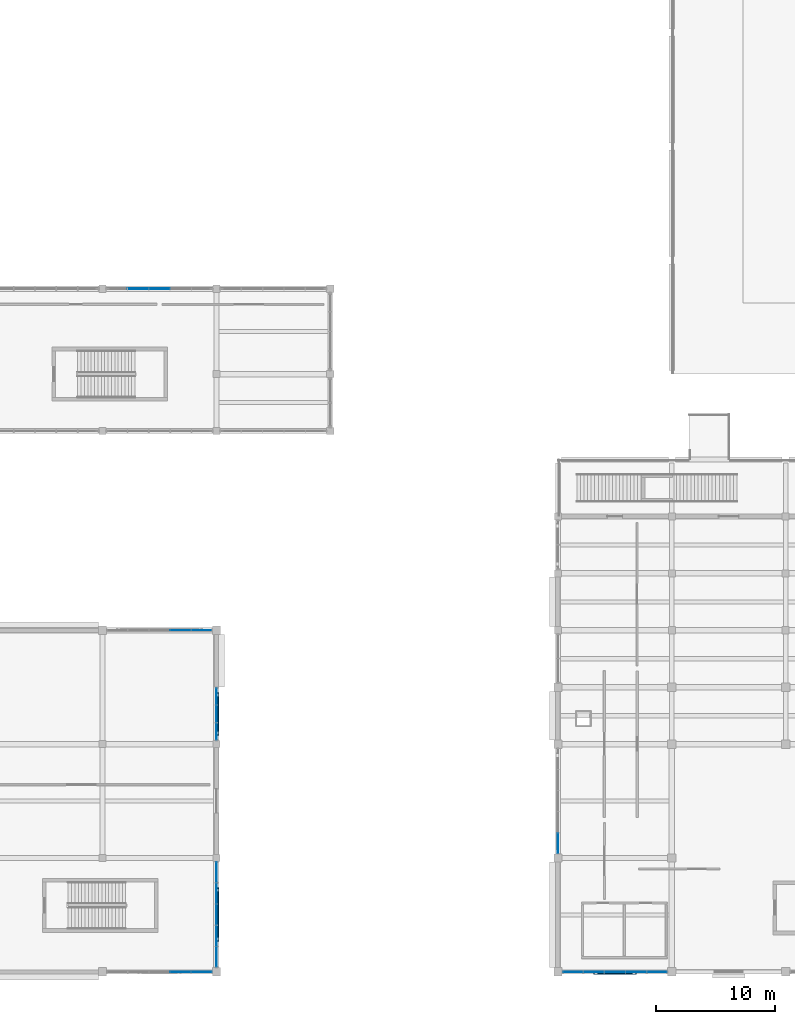
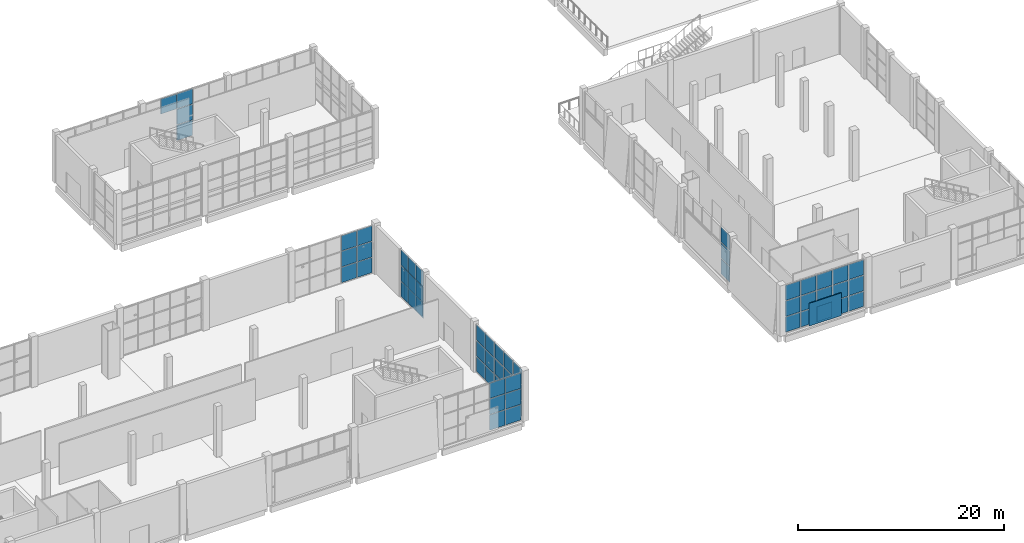
# One storey, part 42 of 84: 61 plates, 7 elements without a shape of their own.
"""IFC4 building model written with IfcOpenShell, lengths in metres."""

from ifc_helpers import new_model, si_unit, direction, frame, origin, origin_2d, place, context, subcontext, project, spatial, rectangle, extrude, material, layer, layer_set, type_object, element, aggregate, save


model = new_model("IFC4")

# Units and contexts
model_context = context("Model", 3, precision=1e-05, world=origin(), true_north=direction((0.0, 1.0)))
body_context = subcontext(model_context, "Body", "Model", "MODEL_VIEW")
ifc_project = project(units=[si_unit("LENGTHUNIT", "METRE"), si_unit("AREAUNIT", "SQUARE_METRE"), si_unit("VOLUMEUNIT", "CUBIC_METRE"), si_unit("PLANEANGLEUNIT", "RADIAN"), si_unit("MASSUNIT", "GRAM", prefix="KILO")], contexts=[model_context])

# Site, building, storey
site_placement = place(None, origin())
site = spatial("IfcSite", under=ifc_project, at=site_placement, CompositionType="ELEMENT")
building_placement = place(site_placement, origin())
building = spatial("IfcBuilding", under=site, at=building_placement, Name="Shalvenor Court Art Gallery", CompositionType="ELEMENT")
storey_placement = place(building_placement, origin())
storey = spatial("IfcBuildingStorey", under=building, at=storey_placement, Name="L00", CompositionType="ELEMENT", Elevation=0.0)

# Curtain wall, plates
ifc_material_1 = material(Name="Anodised aluminium and low-iron glass curtain wall", Category="aluminium")
curtain_wall_type_1 = type_object("IfcCurtainWallType", Name="CW-5x3-89-57-111", PredefinedType="USERDEFINED", material=ifc_material_1)
curtain_wall_1_placement = place(storey_placement, origin())
curtain_wall_1 = element("IfcCurtainWall", 1, at=curtain_wall_1_placement, inside=storey, type_object=curtain_wall_type_1, Name="L00 V4 Curtain Wall CW-L00-120", ObjectType="CURTAIN WALL", PredefinedType="USERDEFINED")
ifc_material_2 = material(Name="Low-iron UV-laminated double glazing IGU", Category="glass")
ifc_layer_1 = layer(ifc_material_2, 0.028076171875, Name="Low-iron UV-laminated double glazing IGU")
ifc_layer_set_1 = layer_set([ifc_layer_1], Name="Low-iron UV-laminated double glazing IGU")
plate_type_1 = type_object("IfcPlateType", Name="CWP-01", PredefinedType="CURTAIN_PANEL", material=ifc_layer_set_1)
plate_1_placement = place(storey_placement, frame((64.179931640625, 28.800048828125, 0.06005859375), z_axis=(0.0, 0.0, 1.0), x_axis=(1.0, 0.0, 0.0)))
plate_1 = element("IfcPlate", 2, at=plate_1_placement, type_object=plate_type_1, Name="CW-5x3-89-57-111 panel 4.1", PredefinedType="CURTAIN_PANEL", context=body_context, shape_type="SweptSolid", body=[
    extrude(rectangle(XDim=1.715087890625, YDim=0.028076171875, at=origin_2d()), origin(), (0.0, 0.0, 1.0), 1.80322265625),
])
plate_2_placement = place(storey_placement, frame((64.179931640625, 28.800048828125, 1.92333984375), z_axis=(0.0, 0.0, 1.0), x_axis=(1.0, 0.0, 0.0)))
plate_2 = element("IfcPlate", 3, at=plate_2_placement, type_object=plate_type_1, Name="CW-5x3-89-57-111 panel 4.2", PredefinedType="CURTAIN_PANEL", context=body_context, shape_type="SweptSolid", body=[
    extrude(rectangle(XDim=1.715087890625, YDim=0.028076171875, at=origin_2d()), origin(), (0.0, 0.0, 1.0), 1.833251953125),
])
plate_3_placement = place(storey_placement, frame((64.179931640625, 28.800048828125, 3.816650390625), z_axis=(0.0, 0.0, 1.0), x_axis=(1.0, 0.0, 0.0)))
plate_3 = element("IfcPlate", 4, at=plate_3_placement, type_object=plate_type_1, Name="CW-5x3-89-57-111 panel 4.3", PredefinedType="CURTAIN_PANEL", context=body_context, shape_type="SweptSolid", body=[
    extrude(rectangle(XDim=1.715087890625, YDim=0.028076171875, at=origin_2d()), origin(), (0.0, 0.0, 1.0), 1.80322265625),
])
plate_4_placement = place(storey_placement, frame((65.94384765625, 28.800048828125, 0.06005859375), z_axis=(0.0, 0.0, 1.0), x_axis=(1.0, 0.0, 0.0)))
plate_4 = element("IfcPlate", 5, at=plate_4_placement, type_object=plate_type_1, Name="CW-5x3-89-57-111 panel 5.1", PredefinedType="CURTAIN_PANEL", context=body_context, shape_type="SweptSolid", body=[
    extrude(rectangle(XDim=1.6826171875, YDim=0.028076171875, at=origin_2d()), origin(), (0.0, 0.0, 1.0), 1.80322265625),
])
plate_5_placement = place(storey_placement, frame((65.94384765625, 28.800048828125, 1.92333984375), z_axis=(0.0, 0.0, 1.0), x_axis=(1.0, 0.0, 0.0)))
plate_5 = element("IfcPlate", 6, at=plate_5_placement, type_object=plate_type_1, Name="CW-5x3-89-57-111 panel 5.2", PredefinedType="CURTAIN_PANEL", context=body_context, shape_type="SweptSolid", body=[
    extrude(rectangle(XDim=1.6826171875, YDim=0.028076171875, at=origin_2d()), origin(), (0.0, 0.0, 1.0), 1.833251953125),
])
plate_6_placement = place(storey_placement, frame((65.94384765625, 28.800048828125, 3.816650390625), z_axis=(0.0, 0.0, 1.0), x_axis=(1.0, 0.0, 0.0)))
plate_6 = element("IfcPlate", 7, at=plate_6_placement, type_object=plate_type_1, Name="CW-5x3-89-57-111 panel 5.3", PredefinedType="CURTAIN_PANEL", context=body_context, shape_type="SweptSolid", body=[
    extrude(rectangle(XDim=1.6826171875, YDim=0.028076171875, at=origin_2d()), origin(), (0.0, 0.0, 1.0), 1.80322265625),
])
aggregate(curtain_wall_1, [plate_1, plate_2, plate_3, plate_4, plate_5, plate_6])

ifc_material_3 = material(Name="Anodised aluminium and low-iron glass curtain wall", Category="aluminium")
curtain_wall_type_2 = type_object("IfcCurtainWallType", Name="CW-3x3-45-57-221", PredefinedType="USERDEFINED", material=ifc_material_3)
curtain_wall_2_placement = place(storey_placement, origin())
curtain_wall_2 = element("IfcCurtainWall", 8, at=curtain_wall_2_placement, inside=storey, type_object=curtain_wall_type_2, Name="L00 V4 Curtain Wall CW-L00-121", ObjectType="CURTAIN WALL", PredefinedType="USERDEFINED")
plate_7_placement = place(storey_placement, frame((67.199951171875, 23.232421875, 0.06494140625), z_axis=(0.0, 0.0, 1.0), x_axis=(0.0, -1.0, 0.0)))
plate_7 = element("IfcPlate", 9, at=plate_7_placement, type_object=plate_type_1, Name="CW-3x3-45-57-221 panel 1.1", PredefinedType="CURTAIN_PANEL", context=body_context, shape_type="SweptSolid", body=[
    extrude(rectangle(XDim=1.39501953125, YDim=0.028076171875, at=origin_2d()), origin(), (0.0, 0.0, 1.0), 1.7958984375),
])
plate_8_placement = place(storey_placement, frame((67.199951171875, 23.232421875, 1.92578125), z_axis=(0.0, 0.0, 1.0), x_axis=(0.0, -1.0, 0.0)))
plate_8 = element("IfcPlate", 10, at=plate_8_placement, type_object=plate_type_1, Name="CW-3x3-45-57-221 panel 1.2", PredefinedType="CURTAIN_PANEL", context=body_context, shape_type="SweptSolid", body=[
    extrude(rectangle(XDim=1.39501953125, YDim=0.028076171875, at=origin_2d()), origin(), (0.0, 0.0, 1.0), 1.828369140625),
])
plate_9_placement = place(storey_placement, frame((67.199951171875, 23.232421875, 3.819091796875), z_axis=(0.0, 0.0, 1.0), x_axis=(0.0, -1.0, 0.0)))
plate_9 = element("IfcPlate", 11, at=plate_9_placement, type_object=plate_type_1, Name="CW-3x3-45-57-221 panel 1.3", PredefinedType="CURTAIN_PANEL", context=body_context, shape_type="SweptSolid", body=[
    extrude(rectangle(XDim=1.39501953125, YDim=0.028076171875, at=origin_2d()), origin(), (0.0, 0.0, 1.0), 1.7958984375),
])
plate_10_placement = place(storey_placement, frame((67.199951171875, 21.75, 0.06494140625), z_axis=(0.0, 0.0, 1.0), x_axis=(0.0, -1.0, 0.0)))
plate_10 = element("IfcPlate", 12, at=plate_10_placement, type_object=plate_type_1, Name="CW-3x3-45-57-221 panel 2.1", PredefinedType="CURTAIN_PANEL", context=body_context, shape_type="SweptSolid", body=[
    extrude(rectangle(XDim=1.429931640625, YDim=0.028076171875, at=origin_2d()), origin(), (0.0, 0.0, 1.0), 1.7958984375),
])
plate_11_placement = place(storey_placement, frame((67.199951171875, 21.75, 1.92578125), z_axis=(0.0, 0.0, 1.0), x_axis=(0.0, -1.0, 0.0)))
plate_11 = element("IfcPlate", 13, at=plate_11_placement, type_object=plate_type_1, Name="CW-3x3-45-57-221 panel 2.2", PredefinedType="CURTAIN_PANEL", context=body_context, shape_type="SweptSolid", body=[
    extrude(rectangle(XDim=1.429931640625, YDim=0.028076171875, at=origin_2d()), origin(), (0.0, 0.0, 1.0), 1.828369140625),
])
plate_12_placement = place(storey_placement, frame((67.199951171875, 21.75, 3.819091796875), z_axis=(0.0, 0.0, 1.0), x_axis=(0.0, -1.0, 0.0)))
plate_12 = element("IfcPlate", 14, at=plate_12_placement, type_object=plate_type_1, Name="CW-3x3-45-57-221 panel 2.3", PredefinedType="CURTAIN_PANEL", context=body_context, shape_type="SweptSolid", body=[
    extrude(rectangle(XDim=1.429931640625, YDim=0.028076171875, at=origin_2d()), origin(), (0.0, 0.0, 1.0), 1.7958984375),
])
plate_13_placement = place(storey_placement, frame((67.199951171875, 20.267578125, 0.06494140625), z_axis=(0.0, 0.0, 1.0), x_axis=(0.0, -1.0, 0.0)))
plate_13 = element("IfcPlate", 15, at=plate_13_placement, type_object=plate_type_1, Name="CW-3x3-45-57-221 panel 3.1", PredefinedType="CURTAIN_PANEL", context=body_context, shape_type="SweptSolid", body=[
    extrude(rectangle(XDim=1.39501953125, YDim=0.028076171875, at=origin_2d()), origin(), (0.0, 0.0, 1.0), 1.7958984375),
])
plate_14_placement = place(storey_placement, frame((67.199951171875, 20.267578125, 1.92578125), z_axis=(0.0, 0.0, 1.0), x_axis=(0.0, -1.0, 0.0)))
plate_14 = element("IfcPlate", 16, at=plate_14_placement, type_object=plate_type_1, Name="CW-3x3-45-57-221 panel 3.2", PredefinedType="CURTAIN_PANEL", context=body_context, shape_type="SweptSolid", body=[
    extrude(rectangle(XDim=1.39501953125, YDim=0.028076171875, at=origin_2d()), origin(), (0.0, 0.0, 1.0), 1.828369140625),
])
plate_15_placement = place(storey_placement, frame((67.199951171875, 20.267578125, 3.819091796875), z_axis=(0.0, 0.0, 1.0), x_axis=(0.0, -1.0, 0.0)))
plate_15 = element("IfcPlate", 17, at=plate_15_placement, type_object=plate_type_1, Name="CW-3x3-45-57-221 panel 3.3", PredefinedType="CURTAIN_PANEL", context=body_context, shape_type="SweptSolid", body=[
    extrude(rectangle(XDim=1.39501953125, YDim=0.028076171875, at=origin_2d()), origin(), (0.0, 0.0, 1.0), 1.7958984375),
])
aggregate(curtain_wall_2, [plate_7, plate_8, plate_9, plate_10, plate_11, plate_12, plate_13, plate_14, plate_15])

ifc_material_4 = material(Name="Anodised aluminium and low-iron glass curtain wall", Category="aluminium")
curtain_wall_type_3 = type_object("IfcCurtainWallType", Name="CW-5x3-90-57-441", PredefinedType="USERDEFINED", material=ifc_material_4)
curtain_wall_3_placement = place(storey_placement, origin())
curtain_wall_3 = element("IfcCurtainWall", 18, at=curtain_wall_3_placement, inside=storey, type_object=curtain_wall_type_3, Name="L00 V4 Curtain Wall CW-L00-122", ObjectType="CURTAIN WALL", PredefinedType="USERDEFINED")
plate_16_placement = place(storey_placement, frame((67.199951171875, 8.38623046875, 0.06982421875), z_axis=(0.0, 0.0, 1.0), x_axis=(0.0, -1.0, 0.0)))
plate_16 = element("IfcPlate", 19, at=plate_16_placement, type_object=plate_type_1, Name="CW-5x3-90-57-441 panel 1.1", PredefinedType="CURTAIN_PANEL", context=body_context, shape_type="SweptSolid", body=[
    extrude(rectangle(XDim=1.677490234375, YDim=0.028076171875, at=origin_2d()), origin(), (0.0, 0.0, 1.0), 1.788330078125),
])
plate_17_placement = place(storey_placement, frame((67.199951171875, 8.38623046875, 1.928466796875), z_axis=(0.0, 0.0, 1.0), x_axis=(0.0, -1.0, 0.0)))
plate_17 = element("IfcPlate", 20, at=plate_17_placement, type_object=plate_type_1, Name="CW-5x3-90-57-441 panel 1.2", PredefinedType="CURTAIN_PANEL", context=body_context, shape_type="SweptSolid", body=[
    extrude(rectangle(XDim=1.677490234375, YDim=0.028076171875, at=origin_2d()), origin(), (0.0, 0.0, 1.0), 1.8232421875),
])
plate_18_placement = place(storey_placement, frame((67.199951171875, 8.38623046875, 3.82177734375), z_axis=(0.0, 0.0, 1.0), x_axis=(0.0, -1.0, 0.0)))
plate_18 = element("IfcPlate", 21, at=plate_18_placement, type_object=plate_type_1, Name="CW-5x3-90-57-441 panel 1.3", PredefinedType="CURTAIN_PANEL", context=body_context, shape_type="SweptSolid", body=[
    extrude(rectangle(XDim=1.677490234375, YDim=0.028076171875, at=origin_2d()), origin(), (0.0, 0.0, 1.0), 1.788330078125),
])
plate_19_placement = place(storey_placement, frame((67.199951171875, 6.614990234375, 0.06982421875), z_axis=(0.0, 0.0, 1.0), x_axis=(0.0, -1.0, 0.0)))
plate_19 = element("IfcPlate", 22, at=plate_19_placement, type_object=plate_type_1, Name="CW-5x3-90-57-441 panel 2.1", PredefinedType="CURTAIN_PANEL", context=body_context, shape_type="SweptSolid", body=[
    extrude(rectangle(XDim=1.715087890625, YDim=0.028076171875, at=origin_2d()), origin(), (0.0, 0.0, 1.0), 1.788330078125),
])
plate_20_placement = place(storey_placement, frame((67.199951171875, 6.614990234375, 1.928466796875), z_axis=(0.0, 0.0, 1.0), x_axis=(0.0, -1.0, 0.0)))
plate_20 = element("IfcPlate", 23, at=plate_20_placement, type_object=plate_type_1, Name="CW-5x3-90-57-441 panel 2.2", PredefinedType="CURTAIN_PANEL", context=body_context, shape_type="SweptSolid", body=[
    extrude(rectangle(XDim=1.715087890625, YDim=0.028076171875, at=origin_2d()), origin(), (0.0, 0.0, 1.0), 1.8232421875),
])
plate_21_placement = place(storey_placement, frame((67.199951171875, 6.614990234375, 3.82177734375), z_axis=(0.0, 0.0, 1.0), x_axis=(0.0, -1.0, 0.0)))
plate_21 = element("IfcPlate", 24, at=plate_21_placement, type_object=plate_type_1, Name="CW-5x3-90-57-441 panel 2.3", PredefinedType="CURTAIN_PANEL", context=body_context, shape_type="SweptSolid", body=[
    extrude(rectangle(XDim=1.715087890625, YDim=0.028076171875, at=origin_2d()), origin(), (0.0, 0.0, 1.0), 1.788330078125),
])
plate_22_placement = place(storey_placement, frame((67.199951171875, 4.824951171875, 0.06982421875), z_axis=(0.0, 0.0, 1.0), x_axis=(0.0, -1.0, 0.0)))
plate_22 = element("IfcPlate", 25, at=plate_22_placement, type_object=plate_type_1, Name="CW-5x3-90-57-441 panel 3.1", PredefinedType="CURTAIN_PANEL", context=body_context, shape_type="SweptSolid", body=[
    extrude(rectangle(XDim=1.715087890625, YDim=0.028076171875, at=origin_2d()), origin(), (0.0, 0.0, 1.0), 1.788330078125),
])
plate_23_placement = place(storey_placement, frame((67.199951171875, 4.824951171875, 1.928466796875), z_axis=(0.0, 0.0, 1.0), x_axis=(0.0, -1.0, 0.0)))
plate_23 = element("IfcPlate", 26, at=plate_23_placement, type_object=plate_type_1, Name="CW-5x3-90-57-441 panel 3.2", PredefinedType="CURTAIN_PANEL", context=body_context, shape_type="SweptSolid", body=[
    extrude(rectangle(XDim=1.715087890625, YDim=0.028076171875, at=origin_2d()), origin(), (0.0, 0.0, 1.0), 1.8232421875),
])
plate_24_placement = place(storey_placement, frame((67.199951171875, 4.824951171875, 3.82177734375), z_axis=(0.0, 0.0, 1.0), x_axis=(0.0, -1.0, 0.0)))
plate_24 = element("IfcPlate", 27, at=plate_24_placement, type_object=plate_type_1, Name="CW-5x3-90-57-441 panel 3.3", PredefinedType="CURTAIN_PANEL", context=body_context, shape_type="SweptSolid", body=[
    extrude(rectangle(XDim=1.715087890625, YDim=0.028076171875, at=origin_2d()), origin(), (0.0, 0.0, 1.0), 1.788330078125),
])
plate_25_placement = place(storey_placement, frame((67.199951171875, 3.034912109375, 0.06982421875), z_axis=(0.0, 0.0, 1.0), x_axis=(0.0, -1.0, 0.0)))
plate_25 = element("IfcPlate", 28, at=plate_25_placement, type_object=plate_type_1, Name="CW-5x3-90-57-441 panel 4.1", PredefinedType="CURTAIN_PANEL", context=body_context, shape_type="SweptSolid", body=[
    extrude(rectangle(XDim=1.715087890625, YDim=0.028076171875, at=origin_2d()), origin(), (0.0, 0.0, 1.0), 1.788330078125),
])
plate_26_placement = place(storey_placement, frame((67.199951171875, 3.034912109375, 1.928466796875), z_axis=(0.0, 0.0, 1.0), x_axis=(0.0, -1.0, 0.0)))
plate_26 = element("IfcPlate", 29, at=plate_26_placement, type_object=plate_type_1, Name="CW-5x3-90-57-441 panel 4.2", PredefinedType="CURTAIN_PANEL", context=body_context, shape_type="SweptSolid", body=[
    extrude(rectangle(XDim=1.715087890625, YDim=0.028076171875, at=origin_2d()), origin(), (0.0, 0.0, 1.0), 1.8232421875),
])
plate_27_placement = place(storey_placement, frame((67.199951171875, 3.034912109375, 3.82177734375), z_axis=(0.0, 0.0, 1.0), x_axis=(0.0, -1.0, 0.0)))
plate_27 = element("IfcPlate", 30, at=plate_27_placement, type_object=plate_type_1, Name="CW-5x3-90-57-441 panel 4.3", PredefinedType="CURTAIN_PANEL", context=body_context, shape_type="SweptSolid", body=[
    extrude(rectangle(XDim=1.715087890625, YDim=0.028076171875, at=origin_2d()), origin(), (0.0, 0.0, 1.0), 1.788330078125),
])
plate_28_placement = place(storey_placement, frame((67.199951171875, 1.263671875, 0.06982421875), z_axis=(0.0, 0.0, 1.0), x_axis=(0.0, -1.0, 0.0)))
plate_28 = element("IfcPlate", 31, at=plate_28_placement, type_object=plate_type_1, Name="CW-5x3-90-57-441 panel 5.1", PredefinedType="CURTAIN_PANEL", context=body_context, shape_type="SweptSolid", body=[
    extrude(rectangle(XDim=1.677490234375, YDim=0.028076171875, at=origin_2d()), origin(), (0.0, 0.0, 1.0), 1.788330078125),
])
plate_29_placement = place(storey_placement, frame((67.199951171875, 1.263671875, 1.928466796875), z_axis=(0.0, 0.0, 1.0), x_axis=(0.0, -1.0, 0.0)))
plate_29 = element("IfcPlate", 32, at=plate_29_placement, type_object=plate_type_1, Name="CW-5x3-90-57-441 panel 5.2", PredefinedType="CURTAIN_PANEL", context=body_context, shape_type="SweptSolid", body=[
    extrude(rectangle(XDim=1.677490234375, YDim=0.028076171875, at=origin_2d()), origin(), (0.0, 0.0, 1.0), 1.8232421875),
])
plate_30_placement = place(storey_placement, frame((67.199951171875, 1.263671875, 3.82177734375), z_axis=(0.0, 0.0, 1.0), x_axis=(0.0, -1.0, 0.0)))
plate_30 = element("IfcPlate", 33, at=plate_30_placement, type_object=plate_type_1, Name="CW-5x3-90-57-441 panel 5.3", PredefinedType="CURTAIN_PANEL", context=body_context, shape_type="SweptSolid", body=[
    extrude(rectangle(XDim=1.677490234375, YDim=0.028076171875, at=origin_2d()), origin(), (0.0, 0.0, 1.0), 1.788330078125),
])
aggregate(curtain_wall_3, [plate_16, plate_17, plate_18, plate_19, plate_20, plate_21, plate_22, plate_23, plate_24, plate_25, plate_26, plate_27, plate_28, plate_29, plate_30])

ifc_material_5 = material(Name="Anodised aluminium and low-iron glass curtain wall", Category="aluminium")
curtain_wall_type_4 = type_object("IfcCurtainWallType", Name="CW-5x3-89-57-611", PredefinedType="USERDEFINED", material=ifc_material_5)
curtain_wall_4_placement = place(storey_placement, origin())
curtain_wall_4 = element("IfcCurtainWall", 34, at=curtain_wall_4_placement, inside=storey, type_object=curtain_wall_type_4, Name="L00 V4 Curtain Wall CW-L00-123", ObjectType="CURTAIN WALL", PredefinedType="USERDEFINED")
plate_31_placement = place(storey_placement, frame((65.9462890625, 0.0, 0.06005859375), z_axis=(0.0, 0.0, 1.0), x_axis=(-1.0, 0.0, 0.0)))
plate_31 = element("IfcPlate", 35, at=plate_31_placement, type_object=plate_type_1, Name="CW-5x3-89-57-611 panel 1.1", PredefinedType="CURTAIN_PANEL", context=body_context, shape_type="SweptSolid", body=[
    extrude(rectangle(XDim=1.697509765625, YDim=0.028076171875, at=origin_2d()), origin(), (0.0, 0.0, 1.0), 1.80322265625),
])
plate_32_placement = place(storey_placement, frame((65.9462890625, 0.0, 1.92333984375), z_axis=(0.0, 0.0, 1.0), x_axis=(-1.0, 0.0, 0.0)))
plate_32 = element("IfcPlate", 36, at=plate_32_placement, type_object=plate_type_1, Name="CW-5x3-89-57-611 panel 1.2", PredefinedType="CURTAIN_PANEL", context=body_context, shape_type="SweptSolid", body=[
    extrude(rectangle(XDim=1.697509765625, YDim=0.028076171875, at=origin_2d()), origin(), (0.0, 0.0, 1.0), 1.833251953125),
])
plate_33_placement = place(storey_placement, frame((65.9462890625, 0.0, 3.816650390625), z_axis=(0.0, 0.0, 1.0), x_axis=(-1.0, 0.0, 0.0)))
plate_33 = element("IfcPlate", 37, at=plate_33_placement, type_object=plate_type_1, Name="CW-5x3-89-57-611 panel 1.3", PredefinedType="CURTAIN_PANEL", context=body_context, shape_type="SweptSolid", body=[
    extrude(rectangle(XDim=1.697509765625, YDim=0.028076171875, at=origin_2d()), origin(), (0.0, 0.0, 1.0), 1.80322265625),
])
plate_34_placement = place(storey_placement, frame((64.179931640625, 0.0, 0.06005859375), z_axis=(0.0, 0.0, 1.0), x_axis=(-1.0, 0.0, 0.0)))
plate_34 = element("IfcPlate", 38, at=plate_34_placement, type_object=plate_type_1, Name="CW-5x3-89-57-611 panel 2.1", PredefinedType="CURTAIN_PANEL", context=body_context, shape_type="SweptSolid", body=[
    extrude(rectangle(XDim=1.72509765625, YDim=0.028076171875, at=origin_2d()), origin(), (0.0, 0.0, 1.0), 1.80322265625),
])
plate_35_placement = place(storey_placement, frame((64.179931640625, 0.0, 1.92333984375), z_axis=(0.0, 0.0, 1.0), x_axis=(-1.0, 0.0, 0.0)))
plate_35 = element("IfcPlate", 39, at=plate_35_placement, type_object=plate_type_1, Name="CW-5x3-89-57-611 panel 2.2", PredefinedType="CURTAIN_PANEL", context=body_context, shape_type="SweptSolid", body=[
    extrude(rectangle(XDim=1.72509765625, YDim=0.028076171875, at=origin_2d()), origin(), (0.0, 0.0, 1.0), 1.833251953125),
])
plate_36_placement = place(storey_placement, frame((64.179931640625, 0.0, 3.816650390625), z_axis=(0.0, 0.0, 1.0), x_axis=(-1.0, 0.0, 0.0)))
plate_36 = element("IfcPlate", 40, at=plate_36_placement, type_object=plate_type_1, Name="CW-5x3-89-57-611 panel 2.3", PredefinedType="CURTAIN_PANEL", context=body_context, shape_type="SweptSolid", body=[
    extrude(rectangle(XDim=1.72509765625, YDim=0.028076171875, at=origin_2d()), origin(), (0.0, 0.0, 1.0), 1.80322265625),
])
aggregate(curtain_wall_4, [plate_31, plate_32, plate_33, plate_34, plate_35, plate_36])

ifc_material_6 = material(Name="Anodised aluminium and low-iron glass curtain wall", Category="aluminium")
curtain_wall_type_5 = type_object("IfcCurtainWallType", Name="CW-5x3-89-57-422", PredefinedType="USERDEFINED", material=ifc_material_6)
curtain_wall_5_placement = place(storey_placement, origin())
curtain_wall_5 = element("IfcCurtainWall", 41, at=curtain_wall_5_placement, inside=storey, type_object=curtain_wall_type_5, Name="L00 V3 Curtain Wall CW-L00-094", ObjectType="CURTAIN WALL", PredefinedType="USERDEFINED")
ifc_material_7 = material(Name="Low-iron triple-silver solar gallery glazing IGU", Category="glass")
ifc_layer_2 = layer(ifc_material_7, 0.031982421875, Name="Low-iron triple-silver solar gallery glazing IGU")
ifc_layer_set_2 = layer_set([ifc_layer_2], Name="Low-iron triple-silver solar gallery glazing IGU")
plate_type_2 = type_object("IfcPlateType", Name="CWP-02", PredefinedType="CURTAIN_PANEL", material=ifc_layer_set_2)
plate_37_placement = place(storey_placement, frame((104.34130859375, 0.0, 0.06494140625), z_axis=(0.0, 0.0, 1.0), x_axis=(-1.0, 0.0, 0.0)))
plate_37 = element("IfcPlate", 42, at=plate_37_placement, type_object=plate_type_2, Name="CW-5x3-89-57-422 panel 1.1", PredefinedType="CURTAIN_PANEL", context=body_context, shape_type="SweptSolid", body=[
    extrude(rectangle(XDim=1.66748046875, YDim=0.031982421875, at=origin_2d()), origin(), (0.0, 0.0, 1.0), 1.7958984375),
])
plate_38_placement = place(storey_placement, frame((104.34130859375, 0.0, 1.92578125), z_axis=(0.0, 0.0, 1.0), x_axis=(-1.0, 0.0, 0.0)))
plate_38 = element("IfcPlate", 43, at=plate_38_placement, type_object=plate_type_2, Name="CW-5x3-89-57-422 panel 1.2", PredefinedType="CURTAIN_PANEL", context=body_context, shape_type="SweptSolid", body=[
    extrude(rectangle(XDim=1.66748046875, YDim=0.031982421875, at=origin_2d()), origin(), (0.0, 0.0, 1.0), 1.828369140625),
])
plate_39_placement = place(storey_placement, frame((104.34130859375, 0.0, 3.819091796875), z_axis=(0.0, 0.0, 1.0), x_axis=(-1.0, 0.0, 0.0)))
plate_39 = element("IfcPlate", 44, at=plate_39_placement, type_object=plate_type_2, Name="CW-5x3-89-57-422 panel 1.3", PredefinedType="CURTAIN_PANEL", context=body_context, shape_type="SweptSolid", body=[
    extrude(rectangle(XDim=1.66748046875, YDim=0.031982421875, at=origin_2d()), origin(), (0.0, 0.0, 1.0), 1.7958984375),
])
plate_40_placement = place(storey_placement, frame((102.580078125, 0.0, 0.06494140625), z_axis=(0.0, 0.0, 1.0), x_axis=(-1.0, 0.0, 0.0)))
plate_40 = element("IfcPlate", 45, at=plate_40_placement, type_object=plate_type_2, Name="CW-5x3-89-57-422 panel 2.1", PredefinedType="CURTAIN_PANEL", context=body_context, shape_type="SweptSolid", body=[
    extrude(rectangle(XDim=1.705078125, YDim=0.031982421875, at=origin_2d()), origin(), (0.0, 0.0, 1.0), 1.7958984375),
])
plate_41_placement = place(storey_placement, frame((102.580078125, 0.0, 1.92578125), z_axis=(0.0, 0.0, 1.0), x_axis=(-1.0, 0.0, 0.0)))
plate_41 = element("IfcPlate", 46, at=plate_41_placement, type_object=plate_type_2, Name="CW-5x3-89-57-422 panel 2.2", PredefinedType="CURTAIN_PANEL", context=body_context, shape_type="SweptSolid", body=[
    extrude(rectangle(XDim=1.705078125, YDim=0.031982421875, at=origin_2d()), origin(), (0.0, 0.0, 1.0), 1.828369140625),
])
plate_42_placement = place(storey_placement, frame((102.580078125, 0.0, 3.819091796875), z_axis=(0.0, 0.0, 1.0), x_axis=(-1.0, 0.0, 0.0)))
plate_42 = element("IfcPlate", 47, at=plate_42_placement, type_object=plate_type_2, Name="CW-5x3-89-57-422 panel 2.3", PredefinedType="CURTAIN_PANEL", context=body_context, shape_type="SweptSolid", body=[
    extrude(rectangle(XDim=1.705078125, YDim=0.031982421875, at=origin_2d()), origin(), (0.0, 0.0, 1.0), 1.7958984375),
])
plate_43_placement = place(storey_placement, frame((100.800048828125, 0.0, 0.06494140625), z_axis=(0.0, 0.0, 1.0), x_axis=(-1.0, 0.0, 0.0)))
plate_43 = element("IfcPlate", 48, at=plate_43_placement, type_object=plate_type_2, Name="CW-5x3-89-57-422 panel 3.1", PredefinedType="CURTAIN_PANEL", context=body_context, shape_type="SweptSolid", body=[
    extrude(rectangle(XDim=1.705078125, YDim=0.031982421875, at=origin_2d()), origin(), (0.0, 0.0, 1.0), 1.7958984375),
])
plate_44_placement = place(storey_placement, frame((100.800048828125, 0.0, 1.92578125), z_axis=(0.0, 0.0, 1.0), x_axis=(-1.0, 0.0, 0.0)))
plate_44 = element("IfcPlate", 49, at=plate_44_placement, type_object=plate_type_2, Name="CW-5x3-89-57-422 panel 3.2", PredefinedType="CURTAIN_PANEL", context=body_context, shape_type="SweptSolid", body=[
    extrude(rectangle(XDim=1.705078125, YDim=0.031982421875, at=origin_2d()), origin(), (0.0, 0.0, 1.0), 1.828369140625),
])
plate_45_placement = place(storey_placement, frame((100.800048828125, 0.0, 3.819091796875), z_axis=(0.0, 0.0, 1.0), x_axis=(-1.0, 0.0, 0.0)))
plate_45 = element("IfcPlate", 50, at=plate_45_placement, type_object=plate_type_2, Name="CW-5x3-89-57-422 panel 3.3", PredefinedType="CURTAIN_PANEL", context=body_context, shape_type="SweptSolid", body=[
    extrude(rectangle(XDim=1.705078125, YDim=0.031982421875, at=origin_2d()), origin(), (0.0, 0.0, 1.0), 1.7958984375),
])
plate_46_placement = place(storey_placement, frame((99.02001953125, 0.0, 0.06494140625), z_axis=(0.0, 0.0, 1.0), x_axis=(-1.0, 0.0, 0.0)))
plate_46 = element("IfcPlate", 51, at=plate_46_placement, type_object=plate_type_2, Name="CW-5x3-89-57-422 panel 4.1", PredefinedType="CURTAIN_PANEL", context=body_context, shape_type="SweptSolid", body=[
    extrude(rectangle(XDim=1.705078125, YDim=0.031982421875, at=origin_2d()), origin(), (0.0, 0.0, 1.0), 1.7958984375),
])
plate_47_placement = place(storey_placement, frame((99.02001953125, 0.0, 1.92578125), z_axis=(0.0, 0.0, 1.0), x_axis=(-1.0, 0.0, 0.0)))
plate_47 = element("IfcPlate", 52, at=plate_47_placement, type_object=plate_type_2, Name="CW-5x3-89-57-422 panel 4.2", PredefinedType="CURTAIN_PANEL", context=body_context, shape_type="SweptSolid", body=[
    extrude(rectangle(XDim=1.705078125, YDim=0.031982421875, at=origin_2d()), origin(), (0.0, 0.0, 1.0), 1.828369140625),
])
plate_48_placement = place(storey_placement, frame((99.02001953125, 0.0, 3.819091796875), z_axis=(0.0, 0.0, 1.0), x_axis=(-1.0, 0.0, 0.0)))
plate_48 = element("IfcPlate", 53, at=plate_48_placement, type_object=plate_type_2, Name="CW-5x3-89-57-422 panel 4.3", PredefinedType="CURTAIN_PANEL", context=body_context, shape_type="SweptSolid", body=[
    extrude(rectangle(XDim=1.705078125, YDim=0.031982421875, at=origin_2d()), origin(), (0.0, 0.0, 1.0), 1.7958984375),
])
plate_49_placement = place(storey_placement, frame((97.2587890625, 0.0, 0.06494140625), z_axis=(0.0, 0.0, 1.0), x_axis=(-1.0, 0.0, 0.0)))
plate_49 = element("IfcPlate", 54, at=plate_49_placement, type_object=plate_type_2, Name="CW-5x3-89-57-422 panel 5.1", PredefinedType="CURTAIN_PANEL", context=body_context, shape_type="SweptSolid", body=[
    extrude(rectangle(XDim=1.66748046875, YDim=0.031982421875, at=origin_2d()), origin(), (0.0, 0.0, 1.0), 1.7958984375),
])
plate_50_placement = place(storey_placement, frame((97.2587890625, 0.0, 1.92578125), z_axis=(0.0, 0.0, 1.0), x_axis=(-1.0, 0.0, 0.0)))
plate_50 = element("IfcPlate", 55, at=plate_50_placement, type_object=plate_type_2, Name="CW-5x3-89-57-422 panel 5.2", PredefinedType="CURTAIN_PANEL", context=body_context, shape_type="SweptSolid", body=[
    extrude(rectangle(XDim=1.66748046875, YDim=0.031982421875, at=origin_2d()), origin(), (0.0, 0.0, 1.0), 1.828369140625),
])
plate_51_placement = place(storey_placement, frame((97.2587890625, 0.0, 3.819091796875), z_axis=(0.0, 0.0, 1.0), x_axis=(-1.0, 0.0, 0.0)))
plate_51 = element("IfcPlate", 56, at=plate_51_placement, type_object=plate_type_2, Name="CW-5x3-89-57-422 panel 5.3", PredefinedType="CURTAIN_PANEL", context=body_context, shape_type="SweptSolid", body=[
    extrude(rectangle(XDim=1.66748046875, YDim=0.031982421875, at=origin_2d()), origin(), (0.0, 0.0, 1.0), 1.7958984375),
])
aggregate(curtain_wall_5, [plate_37, plate_38, plate_39, plate_40, plate_41, plate_42, plate_43, plate_44, plate_45, plate_46, plate_47, plate_48, plate_49, plate_50, plate_51])

ifc_material_8 = material(Name="Anodised aluminium and low-iron glass curtain wall", Category="aluminium")
curtain_wall_type_6 = type_object("IfcCurtainWallType", Name="CW-5x3-89-57-642", PredefinedType="USERDEFINED", material=ifc_material_8)
curtain_wall_6_placement = place(storey_placement, origin())
curtain_wall_6 = element("IfcCurtainWall", 57, at=curtain_wall_6_placement, inside=storey, type_object=curtain_wall_type_6, Name="L00 V3 Curtain Wall CW-L00-095", ObjectType="CURTAIN WALL", PredefinedType="USERDEFINED")
plate_52_placement = place(storey_placement, frame((96.0, 10.853759765625, 0.06982421875), z_axis=(0.0, 0.0, 1.0), x_axis=(0.0, 1.0, 0.0)))
plate_52 = element("IfcPlate", 58, at=plate_52_placement, type_object=plate_type_2, Name="CW-5x3-89-57-642 panel 1.1", PredefinedType="CURTAIN_PANEL", context=body_context, shape_type="SweptSolid", body=[
    extrude(rectangle(XDim=1.697509765625, YDim=0.031982421875, at=origin_2d()), origin(), (0.0, 0.0, 1.0), 1.788330078125),
])
plate_53_placement = place(storey_placement, frame((96.0, 10.853759765625, 1.928466796875), z_axis=(0.0, 0.0, 1.0), x_axis=(0.0, 1.0, 0.0)))
plate_53 = element("IfcPlate", 59, at=plate_53_placement, type_object=plate_type_2, Name="CW-5x3-89-57-642 panel 1.2", PredefinedType="CURTAIN_PANEL", context=body_context, shape_type="SweptSolid", body=[
    extrude(rectangle(XDim=1.697509765625, YDim=0.031982421875, at=origin_2d()), origin(), (0.0, 0.0, 1.0), 1.8232421875),
])
plate_54_placement = place(storey_placement, frame((96.0, 10.853759765625, 3.82177734375), z_axis=(0.0, 0.0, 1.0), x_axis=(0.0, 1.0, 0.0)))
plate_54 = element("IfcPlate", 60, at=plate_54_placement, type_object=plate_type_2, Name="CW-5x3-89-57-642 panel 1.3", PredefinedType="CURTAIN_PANEL", context=body_context, shape_type="SweptSolid", body=[
    extrude(rectangle(XDim=1.697509765625, YDim=0.031982421875, at=origin_2d()), origin(), (0.0, 0.0, 1.0), 1.788330078125),
])
aggregate(curtain_wall_6, [plate_52, plate_53, plate_54])

ifc_material_9 = material(Name="Anodised aluminium and low-iron glass curtain wall", Category="aluminium")
curtain_wall_type_7 = type_object("IfcCurtainWallType", Name="CW-5x3-90-57-646", PredefinedType="USERDEFINED", material=ifc_material_9)
curtain_wall_7_placement = place(storey_placement, origin())
curtain_wall_7 = element("IfcCurtainWall", 61, at=curtain_wall_7_placement, inside=storey, type_object=curtain_wall_type_7, Name="L00 V6 Curtain Wall CW-L00-191", ObjectType="CURTAIN WALL", PredefinedType="USERDEFINED")
ifc_material_10 = material(Name="Solar-control laminated cloister glazing IGU", Category="glass")
ifc_layer_3 = layer(ifc_material_10, 0.0439453125, Name="Solar-control laminated cloister glazing IGU")
ifc_layer_set_3 = layer_set([ifc_layer_3], Name="Solar-control laminated cloister glazing IGU")
plate_type_3 = type_object("IfcPlateType", Name="CWP-06", PredefinedType="CURTAIN_PANEL", material=ifc_layer_set_3)
plate_55_placement = place(storey_placement, frame((60.60009765625, 57.60009765625, 3.82177734375), z_axis=(0.0, 0.0, 1.0), x_axis=(1.0, 0.0, 0.0)))
plate_55 = element("IfcPlate", 62, at=plate_55_placement, type_object=plate_type_3, Name="CW-5x3-90-57-646 panel 2.3", PredefinedType="CURTAIN_PANEL", context=body_context, shape_type="SweptSolid", body=[
    extrude(rectangle(XDim=1.7451171875, YDim=0.0439453125, at=origin_2d()), origin(), (0.0, 0.0, 1.0), 1.788330078125),
])
plate_56_placement = place(storey_placement, frame((62.39990234375, 57.60009765625, 0.06982421875), z_axis=(0.0, 0.0, 1.0), x_axis=(1.0, 0.0, 0.0)))
plate_56 = element("IfcPlate", 63, at=plate_56_placement, type_object=plate_type_3, Name="CW-5x3-90-57-646 panel 3.1", PredefinedType="CURTAIN_PANEL", context=body_context, shape_type="SweptSolid", body=[
    extrude(rectangle(XDim=1.7451171875, YDim=0.0439453125, at=origin_2d()), origin(), (0.0, 0.0, 1.0), 1.788330078125),
])
plate_57_placement = place(storey_placement, frame((62.39990234375, 57.60009765625, 1.928466796875), z_axis=(0.0, 0.0, 1.0), x_axis=(1.0, 0.0, 0.0)))
plate_57 = element("IfcPlate", 64, at=plate_57_placement, type_object=plate_type_3, Name="CW-5x3-90-57-646 panel 3.2", PredefinedType="CURTAIN_PANEL", context=body_context, shape_type="SweptSolid", body=[
    extrude(rectangle(XDim=1.7451171875, YDim=0.0439453125, at=origin_2d()), origin(), (0.0, 0.0, 1.0), 1.8232421875),
])
plate_58_placement = place(storey_placement, frame((62.39990234375, 57.60009765625, 3.82177734375), z_axis=(0.0, 0.0, 1.0), x_axis=(1.0, 0.0, 0.0)))
plate_58 = element("IfcPlate", 65, at=plate_58_placement, type_object=plate_type_3, Name="CW-5x3-90-57-646 panel 3.3", PredefinedType="CURTAIN_PANEL", context=body_context, shape_type="SweptSolid", body=[
    extrude(rectangle(XDim=1.7451171875, YDim=0.0439453125, at=origin_2d()), origin(), (0.0, 0.0, 1.0), 1.788330078125),
])
aggregate(curtain_wall_7, [plate_55, plate_56, plate_57, plate_58])

# Plates
ifc_material_11 = material(Name="Perforated pale limestone GRC lattice", Category="masonry")
ifc_layer_4 = layer(ifc_material_11, 0.090087890625, Name="Perforated pale limestone GRC lattice")
ifc_layer_set_4 = layer_set([ifc_layer_4], Name="Perforated pale limestone GRC lattice")
plate_type_4 = type_object("IfcPlateType", Name="SCR-01", PredefinedType="USERDEFINED", material=ifc_layer_set_4)
plate_59_placement = place(storey_placement, frame((67.343017578125, 21.75, 0.0), z_axis=(0.0, 0.0, 1.0), x_axis=(0.0, -1.0, 0.0)))
element("IfcPlate", 66, at=plate_59_placement, inside=storey, type_object=plate_type_4, Name="L00 V4 Perforated Stone Lattice Screen PLT-SCR-0106", ObjectType="SCREEN", PredefinedType="USERDEFINED", context=body_context, shape_type="SweptSolid", body=[
    extrude(rectangle(XDim=3.60009765625, YDim=0.090087890625, at=origin_2d()), origin(), (0.0, 0.0, 1.0), 3.60009765625),
])
ifc_material_12 = material(Name="Perforated pale limestone GRC lattice", Category="masonry")
ifc_layer_5 = layer(ifc_material_12, 0.090087890625, Name="Perforated pale limestone GRC lattice")
ifc_layer_set_5 = layer_set([ifc_layer_5], Name="Perforated pale limestone GRC lattice")
plate_type_5 = type_object("IfcPlateType", Name="SCR-09", PredefinedType="USERDEFINED", material=ifc_layer_set_5)
plate_60_placement = place(storey_placement, frame((67.35302734375, 4.824951171875, 0.0), z_axis=(0.0, 0.0, 1.0), x_axis=(0.0, -1.0, 0.0)))
element("IfcPlate", 67, at=plate_60_placement, inside=storey, type_object=plate_type_5, Name="L00 V4 Perforated Stone Lattice Screen PLT-SCR-0107", ObjectType="SCREEN", PredefinedType="USERDEFINED", context=body_context, shape_type="SweptSolid", body=[
    extrude(rectangle(XDim=4.5, YDim=0.090087890625, at=origin_2d()), origin(), (0.0, 0.0, 1.0), 2.699951171875),
])
ifc_material_13 = material(Name="Perforated pale limestone GRC lattice", Category="masonry")
ifc_layer_6 = layer(ifc_material_13, 0.090087890625, Name="Perforated pale limestone GRC lattice")
ifc_layer_set_6 = layer_set([ifc_layer_6], Name="Perforated pale limestone GRC lattice")
plate_type_6 = type_object("IfcPlateType", Name="SCR-10", PredefinedType="USERDEFINED", material=ifc_layer_set_6)
plate_61_placement = place(storey_placement, frame((100.800048828125, -0.153076171875, 0.0), z_axis=(0.0, 0.0, 1.0), x_axis=(-1.0, 0.0, 0.0)))
element("IfcPlate", 68, at=plate_61_placement, inside=storey, type_object=plate_type_6, Name="L00 V3 Perforated Stone Lattice Screen PLT-SCR-0080", ObjectType="SCREEN", PredefinedType="USERDEFINED", context=body_context, shape_type="SweptSolid", body=[
    extrude(rectangle(XDim=3.60009765625, YDim=0.090087890625, at=origin_2d()), origin(), (0.0, 0.0, 1.0), 2.699951171875),
])

save(model, "model.ifc")
